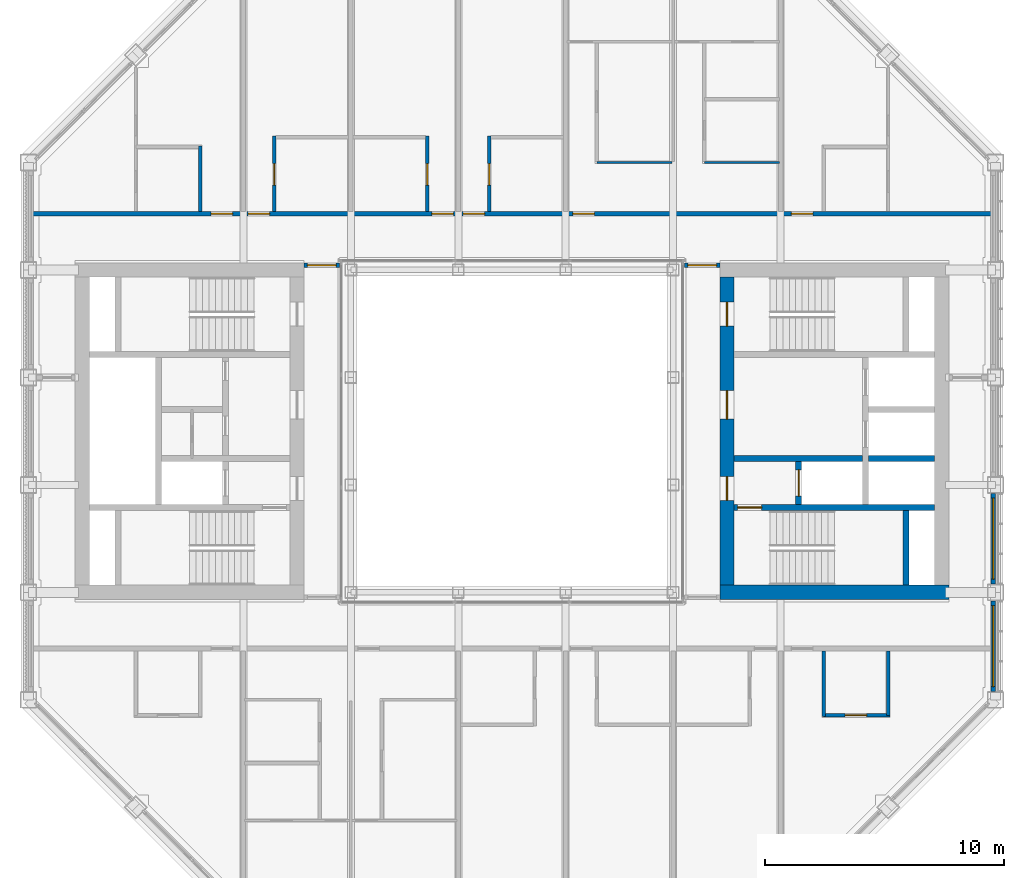
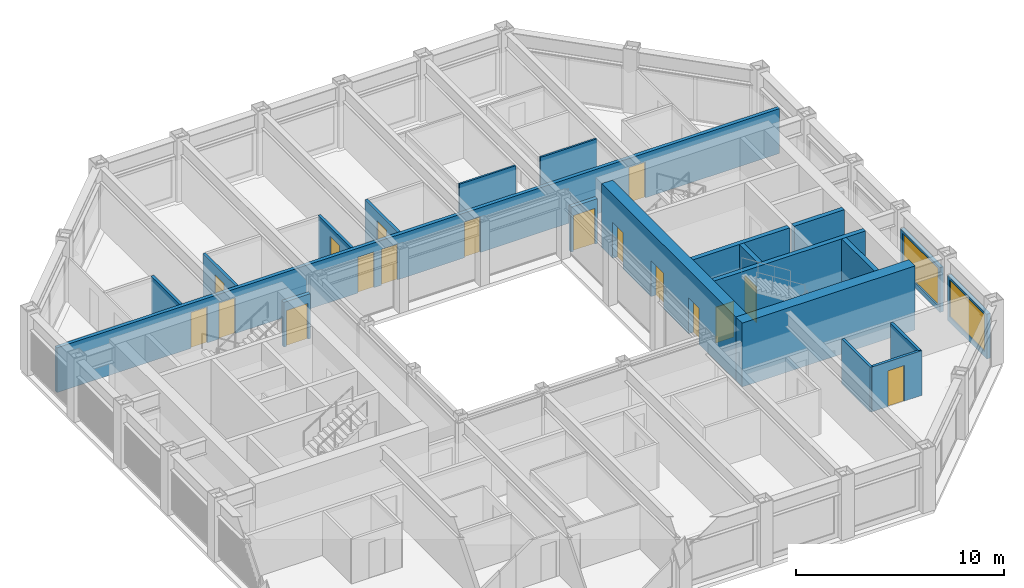
# One storey, part 11 of 18: 21 walls, 17 doors, 2 windows, 19 openings.
"""IFC4 building model written with IfcOpenShell, lengths in metres."""

from ifc_helpers import new_model, si_unit, direction, frame, frame_2d, origin, place, context, subcontext, project, spatial, rectangle, extrude, material, layer, layer_set, type_object, element, fill, save


model = new_model("IFC4")

# Units and contexts
model_context = context("Model", 3, precision=1e-05, world=origin(), true_north=direction((0.0, 1.0)))
body_context = subcontext(model_context, "Body", "Model", "MODEL_VIEW")
ifc_project = project(units=[si_unit("LENGTHUNIT", "METRE"), si_unit("AREAUNIT", "SQUARE_METRE"), si_unit("VOLUMEUNIT", "CUBIC_METRE"), si_unit("PLANEANGLEUNIT", "RADIAN"), si_unit("MASSUNIT", "GRAM", prefix="KILO")], contexts=[model_context])

# Site, building, storey
site_placement = place(None, origin())
site = spatial("IfcSite", under=ifc_project, at=site_placement, CompositionType="ELEMENT")
building_placement = place(site_placement, origin())
building = spatial("IfcBuilding", under=site, at=building_placement, Name="Msasa Ring Tower", CompositionType="ELEMENT")
storey_placement = place(building_placement, frame((0.0, 0.0, 230.800048828125)))
storey = spatial("IfcBuildingStorey", under=building, at=storey_placement, Name="L60", CompositionType="ELEMENT", Elevation=230.800048828125)

# Wall
ifc_material_1 = material(Name="Concrete C60/75", Category="concrete")
ifc_layer_1 = layer(ifc_material_1, 0.60009765625)
ifc_layer_set_1 = layer_set([ifc_layer_1], Name="CW3 CORE WALL 600")
wall_type_1 = type_object("IfcWallType", Name="CW3 CORE WALL 600", PredefinedType="SHEAR", material=ifc_layer_set_1)
wall_1_placement = place(storey_placement, frame((8.699951171875, -6.75, 0.0), z_axis=(0.0, 0.0, 1.0), x_axis=(1.0, 0.0, 0.0)))
element("IfcWall", 1, at=wall_1_placement, inside=storey, type_object=wall_type_1, Name="E core wall S L60", PredefinedType="SHEAR", context=body_context, shape_type="SweptSolid", body=[
    extrude(rectangle(XDim=9.60009765625, YDim=0.60009765625, at=frame_2d((4.800048828125, 0.0))), origin(), (0.0, 0.0, 1.0), 3.75),
])

# Wall, openings, doors
wall_2_placement = place(storey_placement, frame((9.0, -6.449951171875, 0.0), z_axis=(0.0, 0.0, 1.0), x_axis=(0.0, 1.0, 0.0)))
wall_2 = element("IfcWall", 2, at=wall_2_placement, inside=storey, type_object=wall_type_1, Name="E core wall W L60", PredefinedType="SHEAR", context=body_context, shape_type="SweptSolid", body=[
    extrude(rectangle(XDim=12.89990234375, YDim=0.60009765625, at=frame_2d((6.449951171875, 0.0))), origin(), (0.0, 0.0, 1.0), 3.75),
])
opening_1_placement = place(wall_2_placement, frame((3.550048828125, 0.0, 0.0)))
opening_1 = element("IfcOpeningElement", 3, at=opening_1_placement, cuts=wall_2, Name="Opening SC-031", PredefinedType="OPENING", context=body_context, shape_type="SweptSolid", body=[
    extrude(rectangle(XDim=1.0, YDim=2.10009765625, at=frame_2d((0.5, 1.050048828125))), frame((0.0, 0.31005859375, 0.0), z_axis=(0.0, -1.0, 0.0), x_axis=(1.0, 0.0, 0.0)), (0.0, 0.0, 1.0), 0.6201171875),
])
opening_2_placement = place(wall_2_placement, frame((6.949951171875, 0.0, 0.0)))
opening_2 = element("IfcOpeningElement", 4, at=opening_2_placement, cuts=wall_2, Name="Opening SC-027", PredefinedType="OPENING", context=body_context, shape_type="SweptSolid", body=[
    extrude(rectangle(XDim=1.199951171875, YDim=2.10009765625, at=frame_2d((0.60009765625, 1.050048828125))), frame((0.0, 0.31005859375, 0.0), z_axis=(0.0, -1.0, 0.0), x_axis=(1.0, 0.0, 0.0)), (0.0, 0.0, 1.0), 0.6201171875),
])
opening_3_placement = place(wall_2_placement, frame((10.85009765625, 0.0, 0.0)))
opening_3 = element("IfcOpeningElement", 5, at=opening_3_placement, cuts=wall_2, Name="Opening SC-022", PredefinedType="OPENING", context=body_context, shape_type="SweptSolid", body=[
    extrude(rectangle(XDim=1.0, YDim=2.10009765625, at=frame_2d((0.5, 1.050048828125))), frame((0.0, 0.31005859375, 0.0), z_axis=(0.0, -1.0, 0.0), x_axis=(1.0, 0.0, 0.0)), (0.0, 0.0, 1.0), 0.6201171875),
])
ifc_material_2 = material(Name="Timber door leaf in a steel frame", Category="steel")
door_type_1 = type_object("IfcDoorType", Name="D4 LOBBY DOOR 1000x2100", OperationType="SINGLE_SWING_LEFT", PredefinedType="DOOR", material=ifc_material_2)
door_1_placement = place(opening_1_placement, origin())
door_1 = element("IfcDoor", 6, at=door_1_placement, inside=storey, type_object=door_type_1, Name="Door L60-EFFL", OperationType="SINGLE_SWING_LEFT", OverallHeight=2.10009765625, OverallWidth=1.0, PredefinedType="DOOR", context=body_context, shape_type="SweptSolid", body=[
    extrude(rectangle(XDim=1.0, YDim=2.10009765625, at=frame_2d((0.5, 1.050048828125))), frame((0.0, 0.02490234375, 0.0), z_axis=(0.0, -1.0, 0.0), x_axis=(1.0, 0.0, 0.0)), (0.0, 0.0, 1.0), 0.050048828125),
])
fill(opening_1, door_1)
ifc_material_3 = material(Name="Timber door leaf in a steel frame", Category="steel")
door_type_2 = type_object("IfcDoorType", Name="D5 WIDE LOBBY DOOR 1200x2100", OperationType="SINGLE_SWING_LEFT", PredefinedType="DOOR", material=ifc_material_3)
door_2_placement = place(opening_2_placement, origin())
door_2 = element("IfcDoor", 7, at=door_2_placement, inside=storey, type_object=door_type_2, Name="Door L60-ELL", OperationType="SINGLE_SWING_RIGHT", OverallHeight=2.10009765625, OverallWidth=1.199951171875, PredefinedType="DOOR", context=body_context, shape_type="SweptSolid", body=[
    extrude(rectangle(XDim=1.199951171875, YDim=2.10009765625, at=frame_2d((0.60009765625, 1.050048828125))), frame((0.0, 0.02490234375, 0.0), z_axis=(0.0, -1.0, 0.0), x_axis=(1.0, 0.0, 0.0)), (0.0, 0.0, 1.0), 0.050048828125),
])
fill(opening_2, door_2)
ifc_material_4 = material(Name="Timber door leaf in a steel frame", Category="steel")
door_type_3 = type_object("IfcDoorType", Name="D6 STAIR DOOR 1000x2100", OperationType="SINGLE_SWING_LEFT", PredefinedType="DOOR", material=ifc_material_4)
door_3_placement = place(opening_3_placement, origin())
door_3 = element("IfcDoor", 8, at=door_3_placement, inside=storey, type_object=door_type_3, Name="Door L60-ESTB", OperationType="SINGLE_SWING_RIGHT", OverallHeight=2.10009765625, OverallWidth=1.0, PredefinedType="DOOR", context=body_context, shape_type="SweptSolid", body=[
    extrude(rectangle(XDim=1.0, YDim=2.10009765625, at=frame_2d((0.5, 1.050048828125))), frame((0.0, 0.02490234375, 0.0), z_axis=(0.0, -1.0, 0.0), x_axis=(1.0, 0.0, 0.0)), (0.0, 0.0, 1.0), 0.050048828125),
])
fill(opening_3, door_3)

# Wall, opening, door
ifc_material_5 = material(Name="Concrete C60/75", Category="concrete")
ifc_layer_2 = layer(ifc_material_5, 0.25)
ifc_layer_set_2 = layer_set([ifc_layer_2], Name="CW4 CORE INNER WALL 250")
wall_type_2 = type_object("IfcWallType", Name="CW4 CORE INNER WALL 250", PredefinedType="SHEAR", material=ifc_layer_set_2)
wall_3_placement = place(storey_placement, frame((9.300048828125, -3.199951171875, 0.0), z_axis=(0.0, 0.0, 1.0), x_axis=(1.0, 0.0, 0.0)))
wall_3 = element("IfcWall", 9, at=wall_3_placement, inside=storey, type_object=wall_type_2, Name="E core wall STAIRA L60", PredefinedType="SHEAR", context=body_context, shape_type="SweptSolid", body=[
    extrude(rectangle(XDim=8.39990234375, YDim=0.25, at=frame_2d((4.199951171875, 0.0))), origin(), (0.0, 0.0, 1.0), 3.75),
])
opening_4_placement = place(wall_3_placement, frame((0.14990234375, 0.0, 0.0)))
opening_4 = element("IfcOpeningElement", 10, at=opening_4_placement, cuts=wall_3, Name="Opening SC-033", PredefinedType="OPENING", context=body_context, shape_type="SweptSolid", body=[
    extrude(rectangle(XDim=1.0, YDim=2.10009765625, at=frame_2d((0.5, 1.050048828125))), frame((0.0, 0.135009765625, 0.0), z_axis=(0.0, -1.0, 0.0), x_axis=(1.0, 0.0, 0.0)), (0.0, 0.0, 1.0), 0.27001953125),
])
door_4_placement = place(opening_4_placement, origin())
door_4 = element("IfcDoor", 11, at=door_4_placement, inside=storey, type_object=door_type_3, Name="Door L60-ESTA", OperationType="SINGLE_SWING_LEFT", OverallHeight=2.10009765625, OverallWidth=1.0, PredefinedType="DOOR", context=body_context, shape_type="SweptSolid", body=[
    extrude(rectangle(XDim=1.0, YDim=2.10009765625, at=frame_2d((0.5, 1.050048828125))), frame((0.0, 0.02490234375, 0.0), z_axis=(0.0, -1.0, 0.0), x_axis=(1.0, 0.0, 0.0)), (0.0, 0.0, 1.0), 0.050048828125),
])
fill(opening_4, door_4)

# Walls
wall_4_placement = place(storey_placement, frame((16.5, -6.449951171875, 0.0), z_axis=(0.0, 0.0, 1.0), x_axis=(0.0, 1.0, 0.0)))
element("IfcWall", 12, at=wall_4_placement, inside=storey, type_object=wall_type_2, Name="E core wall RISERA L60", PredefinedType="SHEAR", context=body_context, shape_type="SweptSolid", body=[
    extrude(rectangle(XDim=3.125, YDim=0.25, at=frame_2d((1.5625, 0.0))), origin(), (0.0, 0.0, 1.0), 3.75),
])
wall_5_placement = place(storey_placement, frame((9.300048828125, -1.14990234375, 0.0), z_axis=(0.0, 0.0, 1.0), x_axis=(1.0, 0.0, 0.0)))
element("IfcWall", 13, at=wall_5_placement, inside=storey, type_object=wall_type_2, Name="E core wall FFL L60", PredefinedType="SHEAR", context=body_context, shape_type="SweptSolid", body=[
    extrude(rectangle(XDim=5.375, YDim=0.25, at=frame_2d((2.6875, 0.0))), origin(), (0.0, 0.0, 1.0), 3.75),
])

# Wall, opening, door
wall_6_placement = place(storey_placement, frame((12.0, -3.074951171875, 0.0), z_axis=(0.0, 0.0, 1.0), x_axis=(0.0, 1.0, 0.0)))
wall_6 = element("IfcWall", 14, at=wall_6_placement, inside=storey, type_object=wall_type_2, Name="E core wall LOBBY L60", PredefinedType="SHEAR", context=body_context, shape_type="SweptSolid", body=[
    extrude(rectangle(XDim=1.800048828125, YDim=0.25, at=frame_2d((0.89990234375, 0.0))), origin(), (0.0, 0.0, 1.0), 3.75),
])
opening_5_placement = place(wall_6_placement, frame((0.35009765625, 0.0, 0.0)))
opening_5 = element("IfcOpeningElement", 15, at=opening_5_placement, cuts=wall_6, Name="Opening LD1", PredefinedType="OPENING", context=body_context, shape_type="SweptSolid", body=[
    extrude(rectangle(XDim=1.10009765625, YDim=2.10009765625, at=frame_2d((0.550048828125, 1.050048828125))), frame((0.0, 0.135009765625, 0.0), z_axis=(0.0, -1.0, 0.0), x_axis=(1.0, 0.0, 0.0)), (0.0, 0.0, 1.0), 0.27001953125),
])
ifc_material_6 = material(Name="Stainless steel lift landing door", Category="steel")
door_type_4 = type_object("IfcDoorType", Name="LD1 LIFT LANDING DOOR 1100x2100", OperationType="DOUBLE_DOOR_SLIDING", PredefinedType="DOOR", material=ifc_material_6)
door_5_placement = place(opening_5_placement, origin())
door_5 = element("IfcDoor", 16, at=door_5_placement, inside=storey, type_object=door_type_4, Name="Lift landing door FL-E L60", OperationType="DOUBLE_DOOR_SLIDING", OverallHeight=2.10009765625, OverallWidth=1.10009765625, PredefinedType="DOOR", context=body_context, shape_type="SweptSolid", body=[
    extrude(rectangle(XDim=1.10009765625, YDim=2.10009765625, at=frame_2d((0.550048828125, 1.050048828125))), frame((0.0, 0.02490234375, 0.0), z_axis=(0.0, -1.0, 0.0), x_axis=(1.0, 0.0, 0.0)), (0.0, 0.0, 1.0), 0.050048828125),
])
fill(opening_5, door_5)

# Wall
wall_7_placement = place(storey_placement, frame((14.925048828125, -1.14990234375, 0.0), z_axis=(0.0, 0.0, 1.0), x_axis=(1.0, 0.0, 0.0)))
element("IfcWall", 17, at=wall_7_placement, inside=storey, type_object=wall_type_2, Name="E core wall HSEP L60", PredefinedType="SHEAR", context=body_context, shape_type="SweptSolid", body=[
    extrude(rectangle(XDim=2.77490234375, YDim=0.25, at=frame_2d((1.387451171875, 0.0))), origin(), (0.0, 0.0, 1.0), 3.75),
])

# Wall, opening, window
ifc_material_7 = material(Name="Terracotta rainscreen on blockwork", Category="masonry")
ifc_layer_3 = layer(ifc_material_7, 0.199951171875)
ifc_layer_set_3 = layer_set([ifc_layer_3], Name="FW1 TERRACOTTA-LINED INFILL BAY WALL 200")
wall_type_3 = type_object("IfcWallType", Name="FW1 TERRACOTTA-LINED INFILL BAY WALL 200", PredefinedType="SOLIDWALL", material=ifc_layer_set_3)
wall_8_placement = place(storey_placement, frame((20.14990234375, -10.89501953125, 0.0), z_axis=(0.0, 0.0, 1.0), x_axis=(0.0, 1.0, 0.0)))
wall_8 = element("IfcWall", 18, at=wall_8_placement, inside=storey, type_object=wall_type_3, Name="Infill bay wall E L60 07", PredefinedType="SOLIDWALL", context=body_context, shape_type="SweptSolid", body=[
    extrude(rectangle(XDim=3.7900390625, YDim=0.199951171875, at=frame_2d((1.89501953125, 0.0))), origin(), (0.0, 0.0, 1.0), 2.62890625),
])
opening_6_placement = place(wall_8_placement, frame((0.195068359375, 0.0, 0.300048828125)))
opening_6 = element("IfcOpeningElement", 19, at=opening_6_placement, cuts=wall_8, Name="Opening WN3", PredefinedType="OPENING", context=body_context, shape_type="SweptSolid", body=[
    extrude(rectangle(XDim=3.39990234375, YDim=2.178955078125, at=frame_2d((1.699951171875, 1.08935546875))), frame((0.0, 0.10986328125, 0.0), z_axis=(0.0, -1.0, 0.0), x_axis=(1.0, 0.0, 0.0)), (0.0, 0.0, 1.0), 0.219970703125),
])
ifc_material_8 = material(Name="Aluminium frame with clear glass", Category="aluminium")
window_type = type_object("IfcWindowType", Name="WN3 SUITE WINDOW 3400x2179", PartitioningType="SINGLE_PANEL", PredefinedType="WINDOW", material=ifc_material_8)
window_1_placement = place(opening_6_placement, origin())
window_1 = element("IfcWindow", 20, at=window_1_placement, inside=storey, type_object=window_type, Name="Window E L60 07", OverallHeight=2.178955078125, OverallWidth=3.39990234375, PartitioningType="SINGLE_PANEL", PredefinedType="WINDOW", context=body_context, shape_type="SweptSolid", body=[
    extrude(rectangle(XDim=3.39990234375, YDim=2.178955078125, at=frame_2d((1.699951171875, 1.08935546875))), frame((0.0, 0.030029296875, 0.0), z_axis=(0.0, -1.0, 0.0), x_axis=(1.0, 0.0, 0.0)), (0.0, 0.0, 1.0), 0.06005859375),
])
fill(opening_6, window_1)

wall_9_placement = place(storey_placement, frame((20.14990234375, -6.39501953125, 0.0), z_axis=(0.0, 0.0, 1.0), x_axis=(0.0, 1.0, 0.0)))
wall_9 = element("IfcWall", 21, at=wall_9_placement, inside=storey, type_object=wall_type_3, Name="Infill bay wall E L60 08", PredefinedType="SOLIDWALL", context=body_context, shape_type="SweptSolid", body=[
    extrude(rectangle(XDim=3.7900390625, YDim=0.199951171875, at=frame_2d((1.89501953125, 0.0))), origin(), (0.0, 0.0, 1.0), 2.62890625),
])
opening_7_placement = place(wall_9_placement, frame((0.195068359375, 0.0, 0.300048828125)))
opening_7 = element("IfcOpeningElement", 22, at=opening_7_placement, cuts=wall_9, Name="Opening WN3", PredefinedType="OPENING", context=body_context, shape_type="SweptSolid", body=[
    extrude(rectangle(XDim=3.39990234375, YDim=2.178955078125, at=frame_2d((1.699951171875, 1.08935546875))), frame((0.0, 0.10986328125, 0.0), z_axis=(0.0, -1.0, 0.0), x_axis=(1.0, 0.0, 0.0)), (0.0, 0.0, 1.0), 0.219970703125),
])
window_2_placement = place(opening_7_placement, origin())
window_2 = element("IfcWindow", 23, at=window_2_placement, inside=storey, type_object=window_type, Name="Window E L60 08", OverallHeight=2.178955078125, OverallWidth=3.39990234375, PartitioningType="SINGLE_PANEL", PredefinedType="WINDOW", context=body_context, shape_type="SweptSolid", body=[
    extrude(rectangle(XDim=3.39990234375, YDim=2.178955078125, at=frame_2d((1.699951171875, 1.08935546875))), frame((0.0, 0.030029296875, 0.0), z_axis=(0.0, -1.0, 0.0), x_axis=(1.0, 0.0, 0.0)), (0.0, 0.0, 1.0), 0.06005859375),
])
fill(opening_7, window_2)

# Wall, opening, door
ifc_material_9 = material(Name="Concrete blockwork", Category="masonry")
ifc_layer_4 = layer(ifc_material_9, 0.199951171875)
ifc_layer_set_4 = layer_set([ifc_layer_4], Name="PT1 CORRIDOR WALL 200")
wall_type_4 = type_object("IfcWallType", Name="PT1 CORRIDOR WALL 200", PredefinedType="PARTITIONING", material=ifc_layer_set_4)
wall_10_placement = place(storey_placement, frame((7.22998046875, 6.949951171875, 0.0), z_axis=(0.0, 0.0, 1.0), x_axis=(1.0, 0.0, 0.0)))
wall_10 = element("IfcWall", 24, at=wall_10_placement, inside=storey, type_object=wall_type_4, Name="Corridor wall L60-SDEN", PredefinedType="PARTITIONING", context=body_context, shape_type="SweptSolid", body=[
    extrude(rectangle(XDim=1.469970703125, YDim=0.199951171875, at=frame_2d((0.73486328125, 0.0))), origin(), (0.0, 0.0, 1.0), 2.62890625),
])
opening_8_placement = place(wall_10_placement, frame((0.135009765625, 0.0, 0.0)))
opening_8 = element("IfcOpeningElement", 25, at=opening_8_placement, cuts=wall_10, Name="Opening SC-020", PredefinedType="OPENING", context=body_context, shape_type="SweptSolid", body=[
    extrude(rectangle(XDim=1.199951171875, YDim=2.10009765625, at=frame_2d((0.60009765625, 1.050048828125))), frame((0.0, 0.10986328125, 0.0), z_axis=(0.0, -1.0, 0.0), x_axis=(1.0, 0.0, 0.0)), (0.0, 0.0, 1.0), 0.219970703125),
])
ifc_material_10 = material(Name="Timber door leaf in a steel frame", Category="steel")
door_type_5 = type_object("IfcDoorType", Name="D25 CORRIDOR PAIR OF SMOKE DOORS 1200x2100", OperationType="DOUBLE_DOOR_DOUBLE_SWING", PredefinedType="DOOR", material=ifc_material_10)
door_6_placement = place(opening_8_placement, origin())
door_6 = element("IfcDoor", 26, at=door_6_placement, inside=storey, type_object=door_type_5, Name="Door L60-SDEN", OperationType="DOUBLE_DOOR_DOUBLE_SWING", OverallHeight=2.10009765625, OverallWidth=1.199951171875, PredefinedType="DOOR", context=body_context, shape_type="SweptSolid", body=[
    extrude(rectangle(XDim=1.199951171875, YDim=2.10009765625, at=frame_2d((0.60009765625, 1.050048828125))), frame((0.0, 0.02490234375, 0.0), z_axis=(0.0, -1.0, 0.0), x_axis=(1.0, 0.0, 0.0)), (0.0, 0.0, 1.0), 0.050048828125),
])
fill(opening_8, door_6)

wall_11_placement = place(storey_placement, frame((-8.699951171875, 6.949951171875, 0.0), z_axis=(0.0, 0.0, 1.0), x_axis=(1.0, 0.0, 0.0)))
wall_11 = element("IfcWall", 27, at=wall_11_placement, inside=storey, type_object=wall_type_4, Name="Corridor wall L60-SDWN", PredefinedType="PARTITIONING", context=body_context, shape_type="SweptSolid", body=[
    extrude(rectangle(XDim=1.469970703125, YDim=0.199951171875, at=frame_2d((0.73486328125, 0.0))), origin(), (0.0, 0.0, 1.0), 2.62890625),
])
opening_9_placement = place(wall_11_placement, frame((0.135009765625, 0.0, 0.0)))
opening_9 = element("IfcOpeningElement", 28, at=opening_9_placement, cuts=wall_11, Name="Opening SC-019", PredefinedType="OPENING", context=body_context, shape_type="SweptSolid", body=[
    extrude(rectangle(XDim=1.199951171875, YDim=2.10009765625, at=frame_2d((0.60009765625, 1.050048828125))), frame((0.0, 0.10986328125, 0.0), z_axis=(0.0, -1.0, 0.0), x_axis=(1.0, 0.0, 0.0)), (0.0, 0.0, 1.0), 0.219970703125),
])
door_7_placement = place(opening_9_placement, origin())
door_7 = element("IfcDoor", 29, at=door_7_placement, inside=storey, type_object=door_type_5, Name="Door L60-SDWN", OperationType="DOUBLE_DOOR_DOUBLE_SWING", OverallHeight=2.10009765625, OverallWidth=1.199951171875, PredefinedType="DOOR", context=body_context, shape_type="SweptSolid", body=[
    extrude(rectangle(XDim=1.199951171875, YDim=2.10009765625, at=frame_2d((0.60009765625, 1.050048828125))), frame((0.0, 0.02490234375, 0.0), z_axis=(0.0, -1.0, 0.0), x_axis=(1.0, 0.0, 0.0)), (0.0, 0.0, 1.0), 0.050048828125),
])
fill(opening_9, door_7)

# Wall, openings, doors
wall_12_placement = place(storey_placement, frame((-20.050048828125, 9.10009765625, 0.0), z_axis=(0.0, 0.0, 1.0), x_axis=(1.0, 0.0, 0.0)))
wall_12 = element("IfcWall", 30, at=wall_12_placement, inside=storey, type_object=wall_type_4, Name="Corridor wall L60-CORRN0", PredefinedType="PARTITIONING", context=body_context, shape_type="SweptSolid", body=[
    extrude(rectangle(XDim=40.10009765625, YDim=0.199951171875, at=frame_2d((20.050048828125, 0.0))), origin(), (0.0, 0.0, 1.0), 2.62890625),
])
opening_10_placement = place(wall_12_placement, frame((9.0, 0.0, 0.0)))
opening_10 = element("IfcOpeningElement", 31, at=opening_10_placement, cuts=wall_12, Name="Opening SC-014", PredefinedType="OPENING", context=body_context, shape_type="SweptSolid", body=[
    extrude(rectangle(XDim=0.89990234375, YDim=2.10009765625, at=frame_2d((0.449951171875, 1.050048828125))), frame((0.0, 0.10986328125, 0.0), z_axis=(0.0, -1.0, 0.0), x_axis=(1.0, 0.0, 0.0)), (0.0, 0.0, 1.0), 0.219970703125),
])
opening_11_placement = place(wall_12_placement, frame((16.699951171875, 0.0, 0.0)))
opening_11 = element("IfcOpeningElement", 32, at=opening_11_placement, cuts=wall_12, Name="Opening SC-015", PredefinedType="OPENING", context=body_context, shape_type="SweptSolid", body=[
    extrude(rectangle(XDim=0.89990234375, YDim=2.10009765625, at=frame_2d((0.449951171875, 1.050048828125))), frame((0.0, 0.10986328125, 0.0), z_axis=(0.0, -1.0, 0.0), x_axis=(1.0, 0.0, 0.0)), (0.0, 0.0, 1.0), 0.219970703125),
])
opening_12_placement = place(wall_12_placement, frame((18.0, 0.0, 0.0)))
opening_12 = element("IfcOpeningElement", 33, at=opening_12_placement, cuts=wall_12, Name="Opening SC-016", PredefinedType="OPENING", context=body_context, shape_type="SweptSolid", body=[
    extrude(rectangle(XDim=0.89990234375, YDim=2.10009765625, at=frame_2d((0.449951171875, 1.050048828125))), frame((0.0, 0.10986328125, 0.0), z_axis=(0.0, -1.0, 0.0), x_axis=(1.0, 0.0, 0.0)), (0.0, 0.0, 1.0), 0.219970703125),
])
opening_13_placement = place(wall_12_placement, frame((22.60009765625, 0.0, 0.0)))
opening_13 = element("IfcOpeningElement", 34, at=opening_13_placement, cuts=wall_12, Name="Opening SC-017", PredefinedType="OPENING", context=body_context, shape_type="SweptSolid", body=[
    extrude(rectangle(XDim=0.89990234375, YDim=2.10009765625, at=frame_2d((0.449951171875, 1.050048828125))), frame((0.0, 0.10986328125, 0.0), z_axis=(0.0, -1.0, 0.0), x_axis=(1.0, 0.0, 0.0)), (0.0, 0.0, 1.0), 0.219970703125),
])
opening_14_placement = place(wall_12_placement, frame((31.75, 0.0, 0.0)))
opening_14 = element("IfcOpeningElement", 35, at=opening_14_placement, cuts=wall_12, Name="Opening SC-018", PredefinedType="OPENING", context=body_context, shape_type="SweptSolid", body=[
    extrude(rectangle(XDim=0.89990234375, YDim=2.10009765625, at=frame_2d((0.449951171875, 1.050048828125))), frame((0.0, 0.10986328125, 0.0), z_axis=(0.0, -1.0, 0.0), x_axis=(1.0, 0.0, 0.0)), (0.0, 0.0, 1.0), 0.219970703125),
])
opening_15_placement = place(wall_12_placement, frame((7.449951171875, 0.0, 0.0)))
opening_15 = element("IfcOpeningElement", 36, at=opening_15_placement, cuts=wall_12, Name="Opening SC-013", PredefinedType="OPENING", context=body_context, shape_type="SweptSolid", body=[
    extrude(rectangle(XDim=0.89990234375, YDim=2.10009765625, at=frame_2d((0.449951171875, 1.050048828125))), frame((0.0, 0.10986328125, 0.0), z_axis=(0.0, -1.0, 0.0), x_axis=(1.0, 0.0, 0.0)), (0.0, 0.0, 1.0), 0.219970703125),
])
ifc_material_11 = material(Name="Timber door leaf in a steel frame", Category="steel")
door_type_6 = type_object("IfcDoorType", Name="D1 SINGLE DOOR TO CORRIDOR 900x2100", OperationType="SINGLE_SWING_LEFT", PredefinedType="DOOR", material=ifc_material_11)
door_8_placement = place(opening_10_placement, origin())
door_8 = element("IfcDoor", 37, at=door_8_placement, inside=storey, type_object=door_type_6, Name="Door L60-JN00", OperationType="SINGLE_SWING_LEFT", OverallHeight=2.10009765625, OverallWidth=0.89990234375, PredefinedType="DOOR", context=body_context, shape_type="SweptSolid", body=[
    extrude(rectangle(XDim=0.89990234375, YDim=2.10009765625, at=frame_2d((0.449951171875, 1.050048828125))), frame((0.0, 0.02490234375, 0.0), z_axis=(0.0, -1.0, 0.0), x_axis=(1.0, 0.0, 0.0)), (0.0, 0.0, 1.0), 0.050048828125),
])
fill(opening_10, door_8)
door_9_placement = place(opening_11_placement, origin())
door_9 = element("IfcDoor", 38, at=door_9_placement, inside=storey, type_object=door_type_6, Name="Door L60-JN01", OperationType="SINGLE_SWING_LEFT", OverallHeight=2.10009765625, OverallWidth=0.89990234375, PredefinedType="DOOR", context=body_context, shape_type="SweptSolid", body=[
    extrude(rectangle(XDim=0.89990234375, YDim=2.10009765625, at=frame_2d((0.449951171875, 1.050048828125))), frame((0.0, 0.02490234375, 0.0), z_axis=(0.0, -1.0, 0.0), x_axis=(1.0, 0.0, 0.0)), (0.0, 0.0, 1.0), 0.050048828125),
])
fill(opening_11, door_9)
door_10_placement = place(opening_12_placement, origin())
door_10 = element("IfcDoor", 39, at=door_10_placement, inside=storey, type_object=door_type_6, Name="Door L60-JN02", OperationType="SINGLE_SWING_LEFT", OverallHeight=2.10009765625, OverallWidth=0.89990234375, PredefinedType="DOOR", context=body_context, shape_type="SweptSolid", body=[
    extrude(rectangle(XDim=0.89990234375, YDim=2.10009765625, at=frame_2d((0.449951171875, 1.050048828125))), frame((0.0, 0.02490234375, 0.0), z_axis=(0.0, -1.0, 0.0), x_axis=(1.0, 0.0, 0.0)), (0.0, 0.0, 1.0), 0.050048828125),
])
fill(opening_12, door_10)
ifc_material_12 = material(Name="Timber door leaf in a steel frame", Category="steel")
door_type_7 = type_object("IfcDoorType", Name="D2 ENTRANCE DOOR 900x2100", OperationType="SINGLE_SWING_LEFT", PredefinedType="DOOR", material=ifc_material_12)
door_11_placement = place(opening_13_placement, origin())
door_11 = element("IfcDoor", 40, at=door_11_placement, inside=storey, type_object=door_type_7, Name="Door L60-JN03", OperationType="SINGLE_SWING_RIGHT", OverallHeight=2.10009765625, OverallWidth=0.89990234375, PredefinedType="DOOR", context=body_context, shape_type="SweptSolid", body=[
    extrude(rectangle(XDim=0.89990234375, YDim=2.10009765625, at=frame_2d((0.449951171875, 1.050048828125))), frame((0.0, 0.02490234375, 0.0), z_axis=(0.0, -1.0, 0.0), x_axis=(1.0, 0.0, 0.0)), (0.0, 0.0, 1.0), 0.050048828125),
])
fill(opening_13, door_11)
door_12_placement = place(opening_14_placement, origin())
door_12 = element("IfcDoor", 41, at=door_12_placement, inside=storey, type_object=door_type_7, Name="Door L60-CSNE", OperationType="SINGLE_SWING_RIGHT", OverallHeight=2.10009765625, OverallWidth=0.89990234375, PredefinedType="DOOR", context=body_context, shape_type="SweptSolid", body=[
    extrude(rectangle(XDim=0.89990234375, YDim=2.10009765625, at=frame_2d((0.449951171875, 1.050048828125))), frame((0.0, 0.02490234375, 0.0), z_axis=(0.0, -1.0, 0.0), x_axis=(1.0, 0.0, 0.0)), (0.0, 0.0, 1.0), 0.050048828125),
])
fill(opening_14, door_12)
door_13_placement = place(opening_15_placement, origin())
door_13 = element("IfcDoor", 42, at=door_13_placement, inside=storey, type_object=door_type_7, Name="Door L60-CSNW", OperationType="SINGLE_SWING_LEFT", OverallHeight=2.10009765625, OverallWidth=0.89990234375, PredefinedType="DOOR", context=body_context, shape_type="SweptSolid", body=[
    extrude(rectangle(XDim=0.89990234375, YDim=2.10009765625, at=frame_2d((0.449951171875, 1.050048828125))), frame((0.0, 0.02490234375, 0.0), z_axis=(0.0, -1.0, 0.0), x_axis=(1.0, 0.0, 0.0)), (0.0, 0.0, 1.0), 0.050048828125),
])
fill(opening_15, door_13)

# Walls
ifc_material_13 = material(Name="Gypsum board on steel studs", Category="steel")
ifc_layer_5 = layer(ifc_material_13, 0.10009765625)
ifc_layer_set_5 = layer_set([ifc_layer_5], Name="PT2 STUD PARTITION 100")
wall_type_5 = type_object("IfcWallType", Name="PT2 STUD PARTITION 100", PredefinedType="PARTITIONING", material=ifc_layer_set_5)
for number, where, z_axis, x_axis, name in (
    (43, (3.550048828125, 11.25, 0.0), (0.0, 0.0, 1.0), (1.0, 0.0, 0.0), "Partition L60-JN03HY0"),
    (44, (8.050048828125, 11.25, 0.0), (0.0, 0.0, 1.0), (1.0, 0.0, 0.0), "Partition L60-JN03HY1"),
):
    element("IfcWall", number, at=place(storey_placement, frame(where, z_axis=z_axis, x_axis=x_axis)), inside=storey, type_object=wall_type_5, Name=name, PredefinedType="PARTITIONING", context=body_context, shape_type="SweptSolid", body=[
        extrude(rectangle(XDim=3.139892578125, YDim=0.10009765625, at=frame_2d((1.56982421875, 0.0))), origin(), (0.0, 0.0, 1.0), 2.62890625),
    ])

# Wall, opening, door
ifc_material_14 = material(Name="Moisture-resistant board on steel studs with a concealed cistern and pipe void, tiled", Category="steel")
ifc_layer_6 = layer(ifc_material_14, 0.14990234375)
ifc_layer_set_6 = layer_set([ifc_layer_6], Name="PT4 BATHROOM WET WALL 150")
wall_type_6 = type_object("IfcWallType", Name="PT4 BATHROOM WET WALL 150", PredefinedType="PARTITIONING", material=ifc_layer_set_6)
wall_13_placement = place(storey_placement, frame((-9.949951171875, 9.199951171875, 0.0), z_axis=(0.0, 0.0, 1.0), x_axis=(0.0, 1.0, 0.0)))
wall_13 = element("IfcWall", 45, at=wall_13_placement, inside=storey, type_object=wall_type_6, Name="Partition L60-JN00BX", PredefinedType="PARTITIONING", context=body_context, shape_type="SweptSolid", body=[
    extrude(rectangle(XDim=3.150146484375, YDim=0.14990234375, at=frame_2d((1.5751953125, 0.0))), origin(), (0.0, 0.0, 1.0), 2.62890625),
])
opening_16_placement = place(wall_13_placement, frame((1.10009765625, 0.0, 0.0)))
opening_16 = element("IfcOpeningElement", 46, at=opening_16_placement, cuts=wall_13, Name="Opening SC-008", PredefinedType="OPENING", context=body_context, shape_type="SweptSolid", body=[
    extrude(rectangle(XDim=0.89990234375, YDim=2.10009765625, at=frame_2d((0.449951171875, 1.050048828125))), frame((0.0, 0.0849609375, 0.0), z_axis=(0.0, -1.0, 0.0), x_axis=(1.0, 0.0, 0.0)), (0.0, 0.0, 1.0), 0.169921875),
])
ifc_material_15 = material(Name="Timber door leaf in a steel frame", Category="steel")
door_type_8 = type_object("IfcDoorType", Name="D3 BATHROOM DOOR 900x2100", OperationType="SINGLE_SWING_LEFT", PredefinedType="DOOR", material=ifc_material_15)
door_14_placement = place(opening_16_placement, origin())
door_14 = element("IfcDoor", 47, at=door_14_placement, inside=storey, type_object=door_type_8, Name="Door L60-JN00B", OperationType="SINGLE_SWING_LEFT", OverallHeight=2.10009765625, OverallWidth=0.89990234375, PredefinedType="DOOR", context=body_context, shape_type="SweptSolid", body=[
    extrude(rectangle(XDim=0.89990234375, YDim=2.10009765625, at=frame_2d((0.449951171875, 1.050048828125))), frame((0.0, 0.02490234375, 0.0), z_axis=(0.0, -1.0, 0.0), x_axis=(1.0, 0.0, 0.0)), (0.0, 0.0, 1.0), 0.050048828125),
])
fill(opening_16, door_14)

wall_14_placement = place(storey_placement, frame((-3.550048828125, 9.199951171875, 0.0), z_axis=(0.0, 0.0, 1.0), x_axis=(0.0, 1.0, 0.0)))
wall_14 = element("IfcWall", 48, at=wall_14_placement, inside=storey, type_object=wall_type_6, Name="Partition L60-JN01BX", PredefinedType="PARTITIONING", context=body_context, shape_type="SweptSolid", body=[
    extrude(rectangle(XDim=3.150146484375, YDim=0.14990234375, at=frame_2d((1.5751953125, 0.0))), origin(), (0.0, 0.0, 1.0), 2.62890625),
])
opening_17_placement = place(wall_14_placement, frame((1.10009765625, 0.0, 0.0)))
opening_17 = element("IfcOpeningElement", 49, at=opening_17_placement, cuts=wall_14, Name="Opening SC-009", PredefinedType="OPENING", context=body_context, shape_type="SweptSolid", body=[
    extrude(rectangle(XDim=0.89990234375, YDim=2.10009765625, at=frame_2d((0.449951171875, 1.050048828125))), frame((0.0, 0.0849609375, 0.0), z_axis=(0.0, -1.0, 0.0), x_axis=(1.0, 0.0, 0.0)), (0.0, 0.0, 1.0), 0.169921875),
])
door_15_placement = place(opening_17_placement, origin())
door_15 = element("IfcDoor", 50, at=door_15_placement, inside=storey, type_object=door_type_8, Name="Door L60-JN01B", OperationType="SINGLE_SWING_LEFT", OverallHeight=2.10009765625, OverallWidth=0.89990234375, PredefinedType="DOOR", context=body_context, shape_type="SweptSolid", body=[
    extrude(rectangle(XDim=0.89990234375, YDim=2.10009765625, at=frame_2d((0.449951171875, 1.050048828125))), frame((0.0, 0.02490234375, 0.0), z_axis=(0.0, -1.0, 0.0), x_axis=(1.0, 0.0, 0.0)), (0.0, 0.0, 1.0), 0.050048828125),
])
fill(opening_17, door_15)

wall_15_placement = place(storey_placement, frame((-0.949951171875, 9.199951171875, 0.0), z_axis=(0.0, 0.0, 1.0), x_axis=(0.0, 1.0, 0.0)))
wall_15 = element("IfcWall", 51, at=wall_15_placement, inside=storey, type_object=wall_type_6, Name="Partition L60-JN02BX", PredefinedType="PARTITIONING", context=body_context, shape_type="SweptSolid", body=[
    extrude(rectangle(XDim=3.150146484375, YDim=0.14990234375, at=frame_2d((1.5751953125, 0.0))), origin(), (0.0, 0.0, 1.0), 2.62890625),
])
opening_18_placement = place(wall_15_placement, frame((1.10009765625, 0.0, 0.0)))
opening_18 = element("IfcOpeningElement", 52, at=opening_18_placement, cuts=wall_15, Name="Opening SC-010", PredefinedType="OPENING", context=body_context, shape_type="SweptSolid", body=[
    extrude(rectangle(XDim=0.89990234375, YDim=2.10009765625, at=frame_2d((0.449951171875, 1.050048828125))), frame((0.0, 0.0849609375, 0.0), z_axis=(0.0, -1.0, 0.0), x_axis=(1.0, 0.0, 0.0)), (0.0, 0.0, 1.0), 0.169921875),
])
door_16_placement = place(opening_18_placement, origin())
door_16 = element("IfcDoor", 53, at=door_16_placement, inside=storey, type_object=door_type_8, Name="Door L60-JN02B", OperationType="SINGLE_SWING_LEFT", OverallHeight=2.10009765625, OverallWidth=0.89990234375, PredefinedType="DOOR", context=body_context, shape_type="SweptSolid", body=[
    extrude(rectangle(XDim=0.89990234375, YDim=2.10009765625, at=frame_2d((0.449951171875, 1.050048828125))), frame((0.0, 0.02490234375, 0.0), z_axis=(0.0, -1.0, 0.0), x_axis=(1.0, 0.0, 0.0)), (0.0, 0.0, 1.0), 0.050048828125),
])
fill(opening_18, door_16)

# Walls
for number, where, z_axis, x_axis, name in (
    (54, (-13.050048828125, 9.199951171875, 0.0), (0.0, 0.0, 1.0), (0.0, 1.0, 0.0), "Partition L60-CSNWBX"),
    (55, (13.050048828125, -11.949951171875, 0.0), (0.0, 0.0, 1.0), (0.0, 1.0, 0.0), "Partition L60-CSSEBX"),
):
    element("IfcWall", number, at=place(storey_placement, frame(where, z_axis=z_axis, x_axis=x_axis)), inside=storey, type_object=wall_type_6, Name=name, PredefinedType="PARTITIONING", context=body_context, shape_type="SweptSolid", body=[
        extrude(rectangle(XDim=2.75, YDim=0.14990234375, at=frame_2d((1.375, 0.0))), origin(), (0.0, 0.0, 1.0), 2.62890625),
    ])

# Wall, opening, door
wall_16_placement = place(storey_placement, frame((13.050048828125, -11.89990234375, 0.0), z_axis=(0.0, 0.0, 1.0), x_axis=(1.0, 0.0, 0.0)))
wall_16 = element("IfcWall", 56, at=wall_16_placement, inside=storey, type_object=wall_type_6, Name="Partition L60-CSSEBY", PredefinedType="PARTITIONING", context=body_context, shape_type="SweptSolid", body=[
    extrude(rectangle(XDim=2.77490234375, YDim=0.14990234375, at=frame_2d((1.387451171875, 0.0))), origin(), (0.0, 0.0, 1.0), 2.62890625),
])
opening_19_placement = place(wall_16_placement, frame((0.89990234375, 0.0, 0.0)))
opening_19 = element("IfcOpeningElement", 57, at=opening_19_placement, cuts=wall_16, Name="Opening SC-046", PredefinedType="OPENING", context=body_context, shape_type="SweptSolid", body=[
    extrude(rectangle(XDim=0.89990234375, YDim=2.10009765625, at=frame_2d((0.449951171875, 1.050048828125))), frame((0.0, 0.0849609375, 0.0), z_axis=(0.0, -1.0, 0.0), x_axis=(1.0, 0.0, 0.0)), (0.0, 0.0, 1.0), 0.169921875),
])
door_17_placement = place(opening_19_placement, origin())
door_17 = element("IfcDoor", 58, at=door_17_placement, inside=storey, type_object=door_type_8, Name="Door L60-CSSEB1", OperationType="SINGLE_SWING_LEFT", OverallHeight=2.10009765625, OverallWidth=0.89990234375, PredefinedType="DOOR", context=body_context, shape_type="SweptSolid", body=[
    extrude(rectangle(XDim=0.89990234375, YDim=2.10009765625, at=frame_2d((0.449951171875, 1.050048828125))), frame((0.0, 0.02490234375, 0.0), z_axis=(0.0, -1.0, 0.0), x_axis=(1.0, 0.0, 0.0)), (0.0, 0.0, 1.0), 0.050048828125),
])
fill(opening_19, door_17)

# Wall
wall_17_placement = place(storey_placement, frame((15.75, -11.89990234375, 0.0), z_axis=(0.0, 0.0, 1.0), x_axis=(0.0, 1.0, 0.0)))
element("IfcWall", 59, at=wall_17_placement, inside=storey, type_object=wall_type_6, Name="Partition L60-CSSEBE", PredefinedType="PARTITIONING", context=body_context, shape_type="SweptSolid", body=[
    extrude(rectangle(XDim=2.699951171875, YDim=0.14990234375, at=frame_2d((1.35009765625, 0.0))), origin(), (0.0, 0.0, 1.0), 2.62890625),
])

save(model, "model.ifc")
